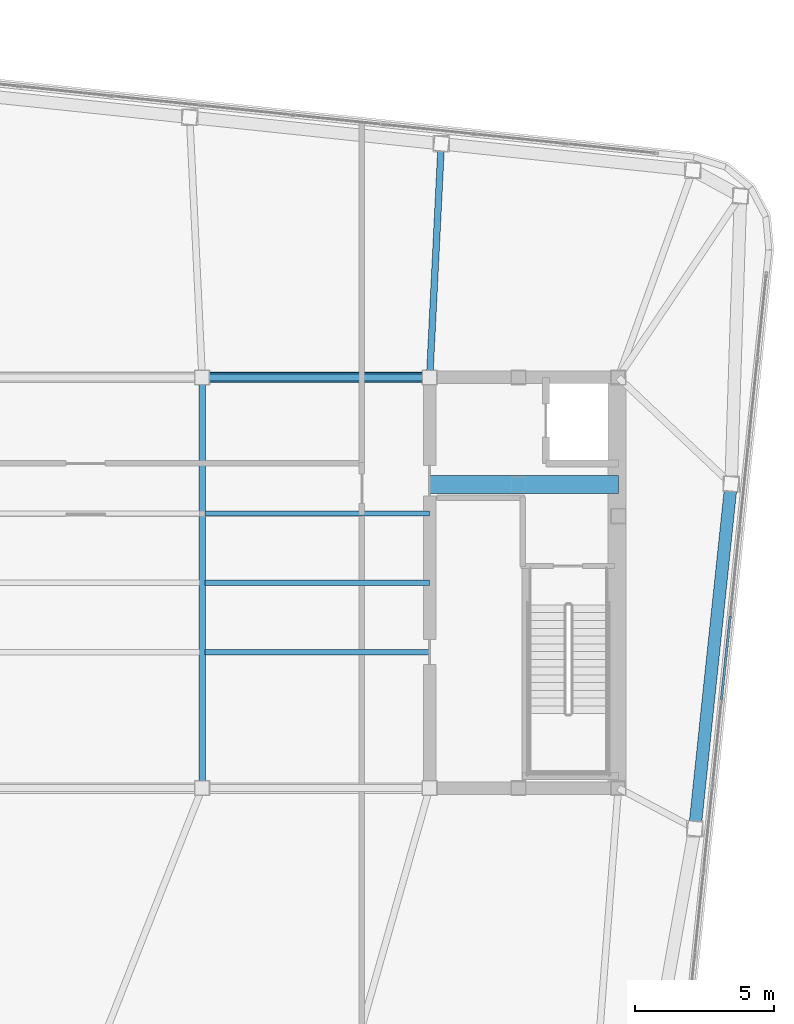
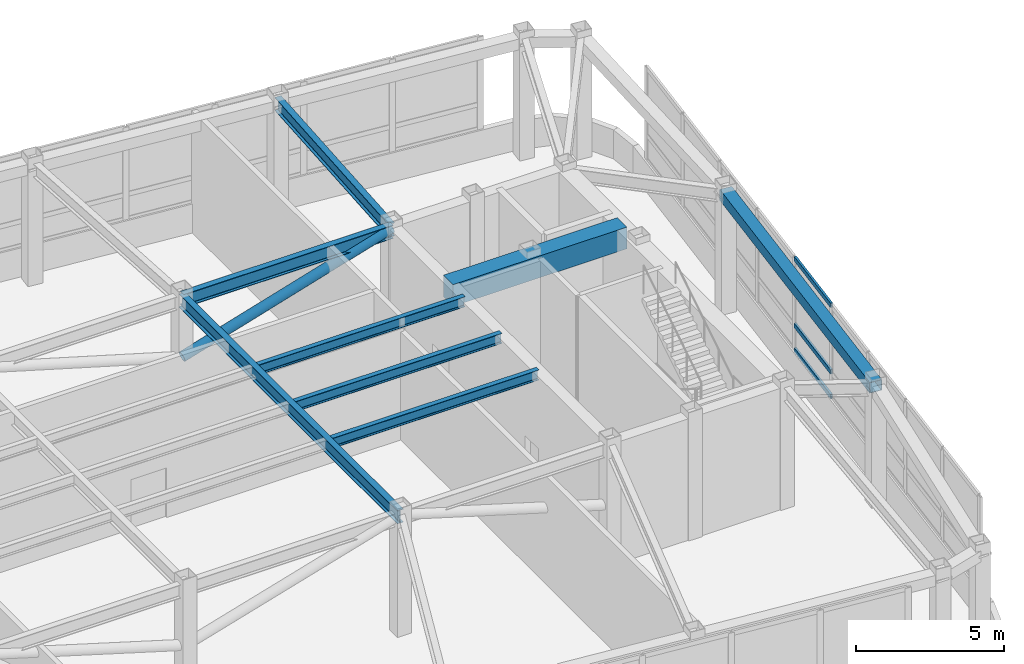
# One storey, part 12 of 23: 8 beams, 4 members, 1 element without a shape of its own.
"""IFC4 building model written with IfcOpenShell, lengths in metres."""

import ifcopenshell
import ifcopenshell.guid

model = None  # the IFC model being written
_history = None  # IfcOwnerHistory: only IFC2X3 demands one
_inside = {}  # id of a spatial element -> (the spatial element, [elements in it])
_under = {}  # id of a project, library or spatial element -> (it, [spatial elements below it])
_declared = {}  # id of a project -> (the project, [libraries it declares])
_typed = {}  # id of a type object -> (the type object, [elements of that type])
_made_of = {}  # id of a material, layer set ... -> (it, [elements and type objects made of it])


def new_model(schema):
    """Start an empty IFC model of exactly this schema.

    Asked for "IFC4X3", IfcOpenShell would pick the latest addendum, in which some entities
    have other attributes; the version numbers below select the first issue.
    IFC2X3 requires an IfcOwnerHistory on every rooted entity: one is made here for all.
    """
    global model, _history
    if schema == "IFC4X3":
        model = ifcopenshell.file(schema_version=(4, 3, 0, 0))
    else:
        model = ifcopenshell.file(schema=schema)
    _inside.clear()
    _under.clear()
    _declared.clear()
    _typed.clear()
    _made_of.clear()
    _history = None
    if model.schema == "IFC2X3":
        org = make("IfcOrganization", Name="unknown")
        user = make(
            "IfcPersonAndOrganization",
            ThePerson=make("IfcPerson", FamilyName="unknown"),
            TheOrganization=org,
        )
        app = make(
            "IfcApplication",
            ApplicationDeveloper=org,
            Version="unknown",
            ApplicationFullName="unknown",
            ApplicationIdentifier="unknown",
        )
        _history = make(
            "IfcOwnerHistory",
            OwningUser=user,
            OwningApplication=app,
            ChangeAction="ADDED",
            CreationDate=0,
        )
    return model


def make(cls, **values):
    """One entity of the class cls with the attributes given. An attribute that is None is left unset."""
    return model.create_entity(
        cls, **{name: value for name, value in values.items() if value is not None}
    )


def rooted(cls, **values):
    """An entity with a GlobalId (a new one), such as an element, a storey or a relation."""
    return make(cls, GlobalId=ifcopenshell.guid.new(), OwnerHistory=_history, **values)


def si_unit(unit_type, name, prefix=None):
    """IfcSIUnit, for example si_unit("LENGTHUNIT", "METRE", prefix="MILLI")."""
    return make("IfcSIUnit", UnitType=unit_type, Prefix=prefix, Name=name)


def assignment(units):
    """IfcUnitAssignment: the units of a project."""
    return None if units is None else make("IfcUnitAssignment", Units=units)


def point(xyz):
    """IfcCartesianPoint."""
    return None if xyz is None else make("IfcCartesianPoint", Coordinates=xyz)


def direction(xyz):
    """IfcDirection."""
    return None if xyz is None else make("IfcDirection", DirectionRatios=xyz)


def frame(location, z_axis=None, x_axis=None):
    """IfcAxis2Placement3D, a coordinate frame: its origin and axes. An axis left out is left unset."""
    return make(
        "IfcAxis2Placement3D",
        Location=point(location),
        Axis=direction(z_axis),
        RefDirection=direction(x_axis),
    )


def frame_2d(location, x_axis=None):
    """IfcAxis2Placement2D, a coordinate frame in the plane: its origin and x axis."""
    return make(
        "IfcAxis2Placement2D", Location=point(location), RefDirection=direction(x_axis)
    )


def origin():
    """The frame at (0, 0, 0) with its axes left unset."""
    return frame((0.0, 0.0, 0.0))


def origin_2d():
    """The frame at (0, 0) in the plane with its x axis left unset."""
    return frame_2d((0.0, 0.0))


def place(relative_to, where):
    """IfcLocalPlacement: puts the frame where relative to a parent placement (None: the world)."""
    return make(
        "IfcLocalPlacement", PlacementRelTo=relative_to, RelativePlacement=where
    )


def context(
    kind, dimensions, precision=None, world=None, true_north=None, identifier=None
):
    """IfcGeometricRepresentationContext, for example the 3D "Model" context."""
    return make(
        "IfcGeometricRepresentationContext",
        ContextIdentifier=identifier,
        ContextType=kind,
        CoordinateSpaceDimension=dimensions,
        Precision=precision,
        WorldCoordinateSystem=world,
        TrueNorth=true_north,
    )


def subcontext(parent, identifier, kind, view, scale=None):
    """IfcGeometricRepresentationSubContext, for example "Body" below "Model"."""
    return make(
        "IfcGeometricRepresentationSubContext",
        ContextIdentifier=identifier,
        ContextType=kind,
        ParentContext=parent,
        TargetScale=scale,
        TargetView=view,
    )


def project(units=None, contexts=None):
    """IfcProject with its units and contexts."""
    return rooted(
        "IfcProject",
        Name="project",
        RepresentationContexts=contexts,
        UnitsInContext=assignment(units),
    )


def spatial(cls, under=None, at=None, **own):
    """A site, building, storey or space (cls), placed at a placement, below another one or the project."""
    s = rooted(cls, ObjectPlacement=at, **own)
    if under is not None:
        _under.setdefault(under.id(), (under, []))[1].append(s)
    return s


def profile(cls, at=None, kind="AREA", **sizes):
    """A parametric profile (cls). Its sizes go by their IFC names, for example OverallWidth=200.0."""
    return make(cls, ProfileType=kind, Position=at, **sizes)


def rectangle(**sizes):
    """IfcRectangleProfileDef."""
    return profile("IfcRectangleProfileDef", **sizes)


def hollow_rectangle(**sizes):
    """IfcRectangleHollowProfileDef."""
    return profile("IfcRectangleHollowProfileDef", **sizes)


def hollow_circle(**sizes):
    """IfcCircleHollowProfileDef."""
    return profile("IfcCircleHollowProfileDef", **sizes)


def i_section(**sizes):
    """IfcIShapeProfileDef."""
    return profile("IfcIShapeProfileDef", **sizes)


def extrude(swept, where, along, depth):
    """IfcExtrudedAreaSolid: the profile swept, set in the frame where, extruded along a direction by depth."""
    return make(
        "IfcExtrudedAreaSolid",
        SweptArea=swept,
        Position=where,
        ExtrudedDirection=direction(along),
        Depth=depth,
    )


def shape(context_of_items, identifier, shape_type, items):
    """IfcShapeRepresentation: the items that make up one representation, for example the "Body"."""
    return make(
        "IfcShapeRepresentation",
        ContextOfItems=context_of_items,
        RepresentationIdentifier=identifier,
        RepresentationType=shape_type,
        Items=items,
    )


def material(Name=None, Category=None):
    """IfcMaterial."""
    return make("IfcMaterial", Name=Name, Category=Category)


def layer(
    of_material, thickness, ventilated=None, Name=None, Category=None, Priority=None
):
    """IfcMaterialLayer: one layer of a wall or slab, of a material (None: an air gap)."""
    return make(
        "IfcMaterialLayer",
        Material=of_material,
        LayerThickness=thickness,
        IsVentilated=ventilated,
        Name=Name,
        Category=Category,
        Priority=Priority,
    )


def layer_set(layers, Name=None):
    """IfcMaterialLayerSet."""
    return make("IfcMaterialLayerSet", MaterialLayers=layers, LayerSetName=Name)


def material_profile(
    of_material, cross_section, Name=None, Category=None, Priority=None
):
    """IfcMaterialProfile: a cross section and its material."""
    return make(
        "IfcMaterialProfile",
        Name=Name,
        Material=of_material,
        Profile=cross_section,
        Priority=Priority,
        Category=Category,
    )


def profile_set(profiles, Name=None, composite=None):
    """IfcMaterialProfileSet."""
    return make(
        "IfcMaterialProfileSet",
        Name=Name,
        MaterialProfiles=profiles,
        CompositeProfile=composite,
    )


def made_of(thing, what):
    """Note that an element or type object is made of a material, layer set ...; save() writes the relation."""
    if what is not None:
        _made_of.setdefault(what.id(), (what, []))[1].append(thing)
    return thing


def type_object(cls, material=None, **own):
    """A type object (cls), such as IfcWallType, which elements share."""
    return made_of(rooted(cls, **own), material)


def element(
    cls,
    number,
    at=None,
    inside=None,
    cuts=None,
    type_object=None,
    material=None,
    context=None,
    identifier="Body",
    shape_type=None,
    held_by="IfcProductDefinitionShape",
    body=None,
    shapes=None,
    **own,
):
    """One element of the class cls, such as IfcWall. Its Tag is "e" and its number.

    at: its placement. inside: the storey or other place that contains it. cuts: it is an
    opening in that element (IfcRelVoidsElement). A single representation is given by context,
    identifier, shape_type and body (its items); several are given by shapes. held_by: the class
    of the entity that holds the representations. save() writes the other relations.
    """
    e = rooted(cls, Tag="e%d" % number, ObjectPlacement=at, **own)
    if body is not None:
        shapes = [shape(context, identifier, shape_type, body)]
    if shapes is not None:
        e.Representation = make(held_by, Representations=shapes)
    if inside is not None:
        _inside.setdefault(inside.id(), (inside, []))[1].append(e)
    if cuts is not None:
        rooted(
            "IfcRelVoidsElement", RelatingBuildingElement=cuts, RelatedOpeningElement=e
        )
    if type_object is not None:
        _typed.setdefault(type_object.id(), (type_object, []))[1].append(e)
    return made_of(e, material)


def aggregate(whole, parts):
    """IfcRelAggregates: a whole, such as a stair, and the parts it consists of."""
    return rooted("IfcRelAggregates", RelatingObject=whole, RelatedObjects=parts)


def save(model, path):
    """Write the relations noted so far, then the file.

    IfcRelAggregates (storeys below a building ...), IfcRelContainedInSpatialStructure (elements
    in a storey), IfcRelDefinesByType, IfcRelAssociatesMaterial and IfcRelDeclares: one each for
    every whole, place, type object, material and project.
    """
    for whole, parts in _under.values():
        aggregate(whole, parts)
    for where, things in _inside.values():
        rooted(
            "IfcRelContainedInSpatialStructure",
            RelatedElements=things,
            RelatingStructure=where,
        )
    for kind, things in _typed.values():
        rooted("IfcRelDefinesByType", RelatedObjects=things, RelatingType=kind)
    for what, things in _made_of.values():
        rooted("IfcRelAssociatesMaterial", RelatedObjects=things, RelatingMaterial=what)
    for by, libraries in _declared.values():
        rooted("IfcRelDeclares", RelatingContext=by, RelatedDefinitions=libraries)
    model.write(path)


model = new_model("IFC4")

# Units and contexts
model_context = context("Model", 3, precision=1e-05, world=origin(), true_north=direction((0.0, 1.0)))
body_context = subcontext(model_context, "Body", "Model", "MODEL_VIEW")
ifc_project = project(units=[si_unit("LENGTHUNIT", "METRE"), si_unit("AREAUNIT", "SQUARE_METRE"), si_unit("VOLUMEUNIT", "CUBIC_METRE"), si_unit("PLANEANGLEUNIT", "RADIAN"), si_unit("MASSUNIT", "GRAM", prefix="KILO")], contexts=[model_context])

# Site, building, storey
site_placement = place(None, origin())
site = spatial("IfcSite", under=ifc_project, at=site_placement, CompositionType="ELEMENT")
building_placement = place(site_placement, origin())
building = spatial("IfcBuilding", under=site, at=building_placement, Name="Voryun Gate Residences", CompositionType="ELEMENT")
storey_placement = place(building_placement, frame((0.0, 0.0, 321.300048828125)))
storey = spatial("IfcBuildingStorey", under=building, at=storey_placement, Name="L79", CompositionType="ELEMENT", Elevation=321.300048828125)

# Beams
ifc_material_1 = material(Name="Concrete C60/75", Category="concrete")
ifc_material_profile_1 = material_profile(ifc_material_1, rectangle(XDim=0.64990234375, YDim=0.89990234375, at=origin_2d()), Name="RC-650x900")
ifc_profile_set_1 = profile_set([ifc_material_profile_1], Name="Concrete C60/75")
beam_type_1 = type_object("IfcBeamType", Name="BM_COUP_RC900", PredefinedType="LINTEL", material=ifc_profile_set_1)
beam_1_placement = place(storey_placement, frame((12.39990234375, 3.550048828125, 4.574951171875), z_axis=(1.0, 0.0, 0.0), x_axis=(0.0, 1.0, 0.0)))
element("IfcBeam", 1, at=beam_1_placement, inside=storey, type_object=beam_type_1, Name="BM-L79-EC1", PredefinedType="LINTEL", context=body_context, shape_type="SweptSolid", body=[
    extrude(rectangle(XDim=0.64990234375, YDim=0.89990234375, at=origin_2d()), origin(), (0.0, 0.0, 1.0), 6.800048828125),
])
ifc_material_2 = material(Name="Steel SM355", Category="steel")
ifc_material_profile_2 = material_profile(ifc_material_2, hollow_rectangle(XDim=0.449951171875, YDim=0.449951171875, WallThickness=0.01806640625, at=origin_2d()), Name="BOX-450x450x18")
ifc_profile_set_2 = profile_set([ifc_material_profile_2], Name="Steel SM355")
beam_type_2 = type_object("IfcBeamType", Name="BM_CROWN_RING", PredefinedType="BEAM", material=ifc_profile_set_2)
beam_2_placement = place(storey_placement, frame((21.958251953125, -8.861572265625, 4.800048828125), z_axis=(0.104519973049, 0.99452278769, 0.0), x_axis=(-0.99452278769, 0.104519973049, 0.0)))
element("IfcBeam", 2, at=beam_2_placement, inside=storey, type_object=beam_type_2, Name="BM-L79-SPAND-08", PredefinedType="BEAM", context=body_context, shape_type="SweptSolid", body=[
    extrude(hollow_rectangle(XDim=0.449951171875, YDim=0.449951171875, WallThickness=0.01806640625, at=origin_2d()), origin(), (0.0, 0.0, 1.0), 12.491943359375),
])
ifc_material_3 = material(Name="Steel SM355", Category="steel")
ifc_material_profile_3 = material_profile(ifc_material_3, i_section(OverallWidth=0.239990234375, OverallDepth=0.550048828125, WebThickness=0.011962890625, FlangeThickness=0.02001953125, FilletRadius=0.01806640625, at=origin_2d()), Name="H-550x240x12x20")
ifc_profile_set_3 = profile_set([ifc_material_profile_3], Name="Steel SM355")
beam_type_3 = type_object("IfcBeamType", Name="BM_GIRD_550", PredefinedType="USERDEFINED", material=ifc_profile_set_3)
beam_3_placement = place(storey_placement, frame((4.199951171875, 7.39990234375, 4.75), z_axis=(1.0, 0.0, 0.0), x_axis=(0.0, 1.0, 0.0)))
element("IfcBeam", 3, at=beam_3_placement, inside=storey, type_object=beam_type_3, Name="BM-L79-SPG3-N", ObjectType="GIRDER", PredefinedType="USERDEFINED", context=body_context, shape_type="SweptSolid", body=[
    extrude(i_section(OverallWidth=0.239990234375, OverallDepth=0.550048828125, WebThickness=0.011962890625, FlangeThickness=0.02001953125, FilletRadius=0.01806640625, at=origin_2d()), origin(), (0.0, 0.0, 1.0), 8.199951171875),
])
beam_4_placement = place(storey_placement, frame((4.199951171875, -7.39990234375, 4.75), z_axis=(0.0, 1.0, 0.0), x_axis=(-1.0, 0.0, 0.0)))
element("IfcBeam", 4, at=beam_4_placement, inside=storey, type_object=beam_type_3, Name="BM-L79-SPX-E", ObjectType="GIRDER", PredefinedType="USERDEFINED", context=body_context, shape_type="SweptSolid", body=[
    extrude(i_section(OverallWidth=0.239990234375, OverallDepth=0.550048828125, WebThickness=0.011962890625, FlangeThickness=0.02001953125, FilletRadius=0.01806640625, at=origin_2d()), origin(), (0.0, 0.0, 1.0), 14.7998046875),
])
beam_5_placement = place(storey_placement, frame((12.39990234375, 7.39990234375, 4.75), z_axis=(0.049635922604, 0.998767377915, 0.0), x_axis=(-0.998767377915, 0.049635922604, 0.0)))
element("IfcBeam", 5, at=beam_5_placement, inside=storey, type_object=beam_type_3, Name="BM-L79-RAD-N2", ObjectType="GIRDER", PredefinedType="USERDEFINED", context=body_context, shape_type="SweptSolid", body=[
    extrude(i_section(OverallWidth=0.239990234375, OverallDepth=0.550048828125, WebThickness=0.011962890625, FlangeThickness=0.02001953125, FilletRadius=0.01806640625, at=origin_2d()), origin(), (0.0, 0.0, 1.0), 8.435546875),
])
ifc_material_4 = material(Name="Steel SM355", Category="steel")
ifc_material_profile_4 = material_profile(ifc_material_4, i_section(OverallWidth=0.18994140625, OverallDepth=0.419921875, WebThickness=0.009033203125, FlangeThickness=0.01611328125, FilletRadius=0.01806640625, at=origin_2d()), Name="H-420x190x9x16")
ifc_profile_set_4 = profile_set([ifc_material_profile_4], Name="Steel SM355")
beam_type_4 = type_object("IfcBeamType", Name="BM_SEC_420", PredefinedType="BEAM", material=ifc_profile_set_4)
for number, where, z_axis, x_axis, name in (
    (6, (4.300048828125, -2.5, 4.81494140625), (1.0, 0.0, 0.0), (0.0, 1.0, 0.0), "BM-L79-SEC-CS3"),
    (7, (4.300048828125, 0.0, 4.81494140625), (1.0, 0.0, 0.0), (0.0, 1.0, 0.0), "BM-L79-SEC-CM3"),
    (8, (4.300048828125, 2.5, 4.81494140625), (1.0, 0.0, 0.0), (0.0, 1.0, 0.0), "BM-L79-SEC-CN3"),
):
    element("IfcBeam", number, at=place(storey_placement, frame(where, z_axis=z_axis, x_axis=x_axis)), inside=storey, type_object=beam_type_4, Name=name, PredefinedType="BEAM", context=body_context, shape_type="SweptSolid", body=[
        extrude(i_section(OverallWidth=0.18994140625, OverallDepth=0.419921875, WebThickness=0.009033203125, FlangeThickness=0.01611328125, FilletRadius=0.01806640625, at=origin_2d()), origin(), (0.0, 0.0, 1.0), 8.099853515625),
    ])

# Curtain wall, members
ifc_material_5 = material(Name="Anodised aluminium", Category="aluminium")
ifc_layer = layer(ifc_material_5, 0.22998046875, Name="CW_SYS_LANTERN_DARK_GLASS")
ifc_layer_set = layer_set([ifc_layer], Name="Anodised aluminium")
curtain_wall_type = type_object("IfcCurtainWallType", Name="CW_SYS_LANTERN_DARK_GLASS", PredefinedType="NOTDEFINED", material=ifc_layer_set)
curtain_wall_placement = place(storey_placement, origin())
curtain_wall = element("IfcCurtainWall", 9, at=curtain_wall_placement, inside=storey, type_object=curtain_wall_type, Name="Curtain wall CW6-L79-16", PredefinedType="NOTDEFINED")
ifc_material_6 = material(Name="Anodised aluminium", Category="aluminium")
ifc_material_profile_5 = material_profile(ifc_material_6, hollow_rectangle(XDim=0.0849609375, YDim=0.18994140625, WallThickness=0.006103515625, at=origin_2d()), Name="ALU-TRAN-190x85x6")
ifc_profile_set_5 = profile_set([ifc_material_profile_5], Name="Anodised aluminium")
member_type_1 = type_object("IfcMemberType", Name="CW_TRAN_LANT", PredefinedType="USERDEFINED", material=ifc_profile_set_5)
member_1_placement = place(storey_placement, frame((23.23681640625, -1.193359375, 1.219970703125), z_axis=(-0.104500100479, -0.994524876009, 0.0), x_axis=(0.994524876009, -0.104500100479, 0.0)))
member_1 = element("IfcMember", 10, at=member_1_placement, type_object=member_type_1, Name="CW6 transom 5.1", ObjectType="TRANSOM", PredefinedType="USERDEFINED", context=body_context, shape_type="SweptSolid", body=[
    extrude(hollow_rectangle(XDim=0.0849609375, YDim=0.18994140625, WallThickness=0.006103515625, at=origin_2d()), origin(), (0.0, 0.0, 1.0), 3.02783203125),
])
member_2_placement = place(storey_placement, frame((23.23681640625, -1.193359375, 2.239990234375), z_axis=(-0.104500100479, -0.994524876009, 0.0), x_axis=(0.994524876009, -0.104500100479, 0.0)))
member_2 = element("IfcMember", 11, at=member_2_placement, type_object=member_type_1, Name="CW6 transom 5.2", ObjectType="TRANSOM", PredefinedType="USERDEFINED", context=body_context, shape_type="SweptSolid", body=[
    extrude(hollow_rectangle(XDim=0.0849609375, YDim=0.18994140625, WallThickness=0.006103515625, at=origin_2d()), origin(), (0.0, 0.0, 1.0), 3.02783203125),
])
member_3_placement = place(storey_placement, frame((23.23681640625, -1.193359375, 4.994873046875), z_axis=(-0.104500100479, -0.994524876009, 0.0), x_axis=(0.994524876009, -0.104500100479, 0.0)))
member_3 = element("IfcMember", 12, at=member_3_placement, type_object=member_type_1, Name="CW6 transom 5.3", ObjectType="TRANSOM", PredefinedType="USERDEFINED", context=body_context, shape_type="SweptSolid", body=[
    extrude(hollow_rectangle(XDim=0.0849609375, YDim=0.18994140625, WallThickness=0.006103515625, at=origin_2d()), origin(), (0.0, 0.0, 1.0), 3.02783203125),
])
aggregate(curtain_wall, [member_1, member_2, member_3])

# Member
ifc_material_7 = material(Name="Steel SM355", Category="steel")
ifc_material_profile_6 = material_profile(ifc_material_7, hollow_circle(Radius=0.18994140625, WallThickness=0.01806640625, at=origin_2d()), Name="CHS-380x18")
ifc_profile_set_6 = profile_set([ifc_material_profile_6], Name="Steel SM355")
member_type_2 = type_object("IfcMemberType", Name="MBR_CROWN_DIAGRID", PredefinedType="BRACE", material=ifc_profile_set_6)
member_4_placement = place(storey_placement, frame((4.199951171875, 7.39990234375, 2.3798828125), z_axis=(0.957662114733, 0.0, 0.287894553621), x_axis=(0.0, 1.0, 0.0)))
element("IfcMember", 13, at=member_4_placement, inside=storey, type_object=member_type_2, Name="L79 Lantern Spine Diagrid Brace 06", PredefinedType="BRACE", context=body_context, shape_type="SweptSolid", body=[
    extrude(hollow_circle(Radius=0.18994140625, WallThickness=0.01806640625, at=origin_2d()), origin(), (0.0, 0.0, 1.0), 8.5625),
])

save(model, "model.ifc")
